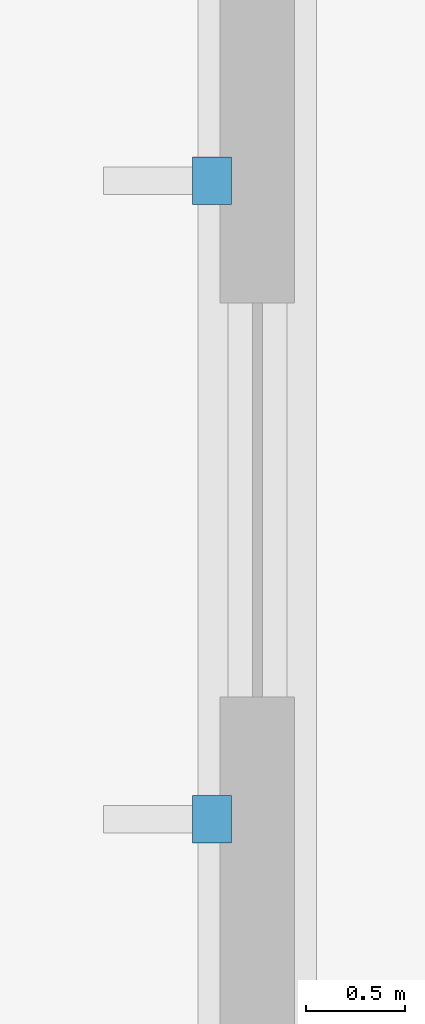
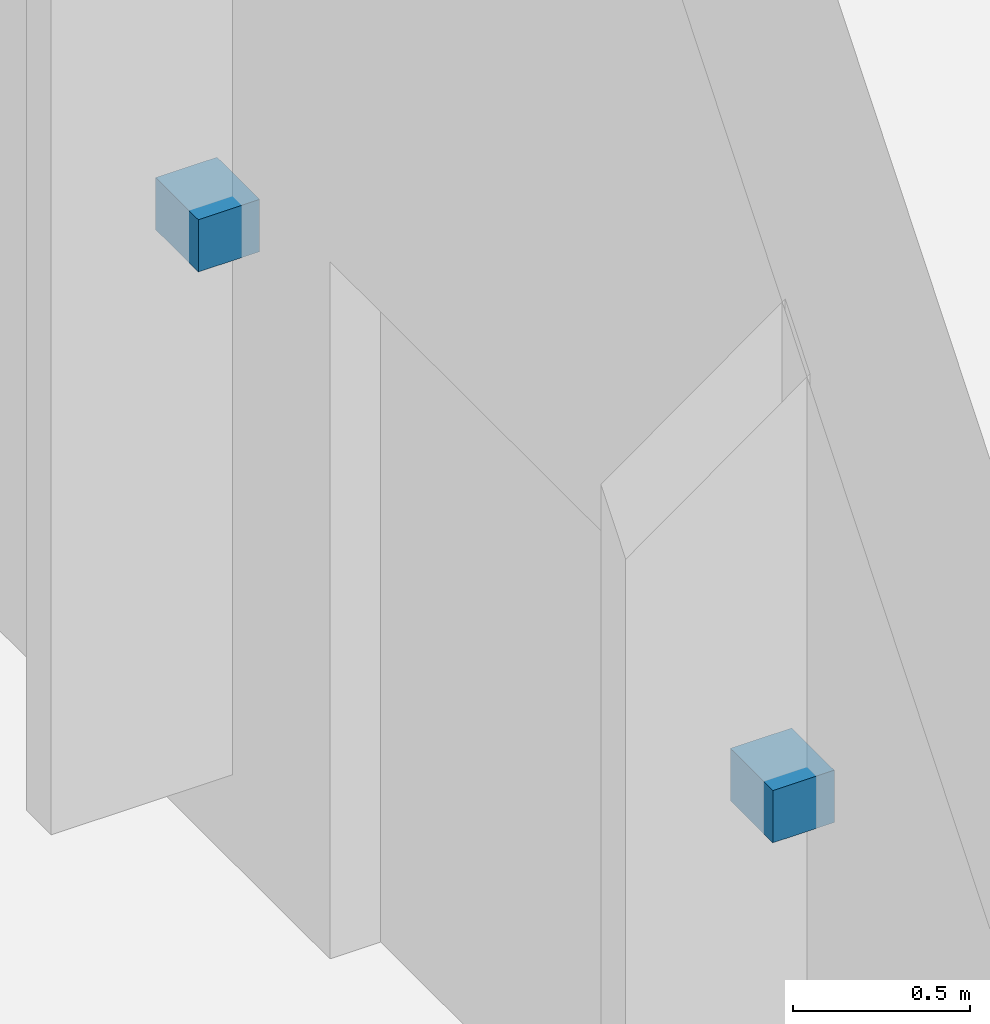
# One storey, part 75 of 91: 2 discrete accessories.
"""IFC4 building model written with IfcOpenShell, lengths in metres."""

from ifc_helpers import new_model, si_unit, direction, frame, origin, origin_2d, place, context, subcontext, project, spatial, rectangle, extrude, material, layer, layer_set, type_object, element, save


model = new_model("IFC4")

# Units and contexts
model_context = context("Model", 3, precision=1e-05, world=origin(), true_north=direction((0.0, 1.0)))
body_context = subcontext(model_context, "Body", "Model", "MODEL_VIEW")
ifc_project = project(units=[si_unit("LENGTHUNIT", "METRE"), si_unit("AREAUNIT", "SQUARE_METRE"), si_unit("VOLUMEUNIT", "CUBIC_METRE"), si_unit("PLANEANGLEUNIT", "RADIAN"), si_unit("MASSUNIT", "GRAM", prefix="KILO")], contexts=[model_context])

# Site, building, storey
site_placement = place(None, origin())
site = spatial("IfcSite", under=ifc_project, at=site_placement, CompositionType="ELEMENT")
building_placement = place(site_placement, origin())
building = spatial("IfcBuilding", under=site, at=building_placement, Name="Dornveld Trade and Exhibition Forum", CompositionType="ELEMENT")
storey_placement = place(building_placement, origin())
storey = spatial("IfcBuildingStorey", under=building, at=storey_placement, Name="L00", CompositionType="ELEMENT", Elevation=0.0)

# Discrete accessories
ifc_material = material(Name="Steel S355J2", Category="steel")
ifc_layer = layer(ifc_material, 0.179931640625)
ifc_layer_set = layer_set([ifc_layer], Name="Steel S355J2")
discrete_accessory_type = type_object("IfcDiscreteAccessoryType", Name="ACC-BRK-STL", PredefinedType="BRACKET", material=ifc_layer_set)
for number, where, z_axis, x_axis, name in (
    (1, (17.77001953125, 132.1201171875, 2.10986328125), (0.0, 0.0, 1.0), (0.0, -1.0, 0.0), "L00 solar fin bracket 93"),
    (2, (17.77001953125, 128.8798828125, 2.10986328125), (0.0, 0.0, 1.0), (0.0, -1.0, 0.0), "L00 solar fin bracket 94"),
):
    element("IfcDiscreteAccessory", number, at=place(storey_placement, frame(where, z_axis=z_axis, x_axis=x_axis)), inside=storey, type_object=discrete_accessory_type, Name=name, PredefinedType="BRACKET", context=body_context, shape_type="SweptSolid", body=[
        extrude(rectangle(XDim=0.239990234375, YDim=0.199951171875, at=origin_2d()), origin(), (0.0, 0.0, 1.0), 0.179931640625),
    ])

save(model, "model.ifc")
